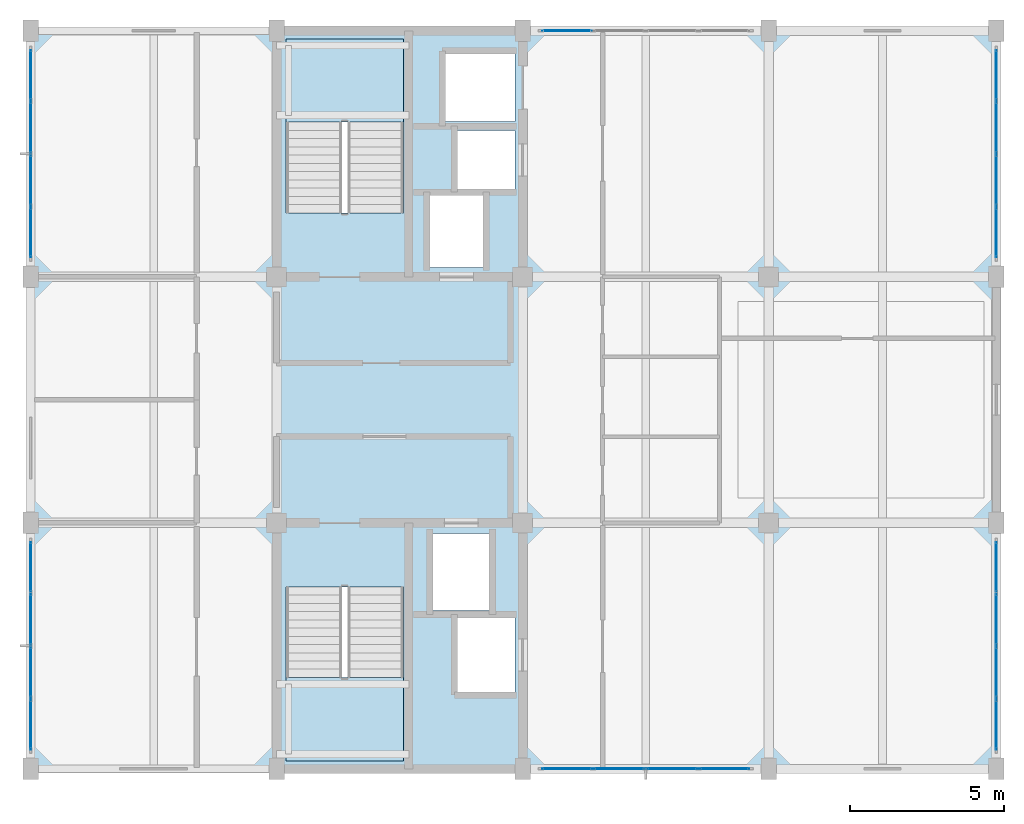
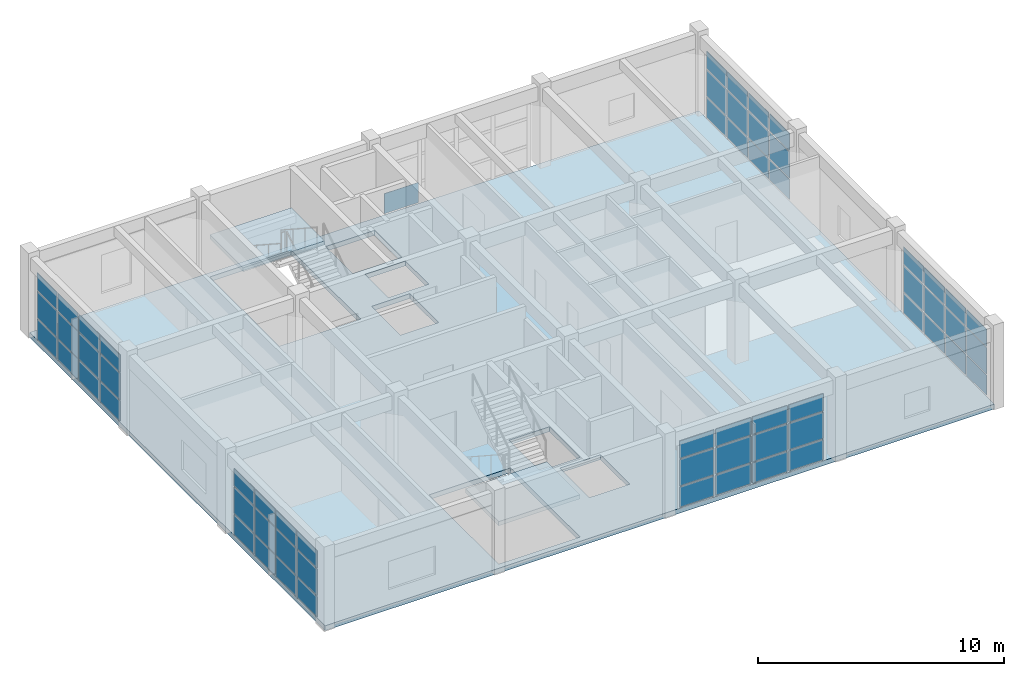
# One storey, part 11 of 16: 61 plates, 3 slabs, 8 elements without a shape of their own.
"""IFC4 building model written with IfcOpenShell, lengths in metres."""

from ifc_helpers import new_model, si_unit, direction, frame, origin, origin_2d, place, context, subcontext, project, spatial, polyline, rectangle, outline, extrude, material, layer, layer_set, type_object, element, aggregate, save


model = new_model("IFC4")

# Units and contexts
model_context = context("Model", 3, precision=1e-05, world=origin(), true_north=direction((0.0, 1.0)))
body_context = subcontext(model_context, "Body", "Model", "MODEL_VIEW")
ifc_project = project(units=[si_unit("LENGTHUNIT", "METRE"), si_unit("AREAUNIT", "SQUARE_METRE"), si_unit("VOLUMEUNIT", "CUBIC_METRE"), si_unit("PLANEANGLEUNIT", "RADIAN"), si_unit("MASSUNIT", "GRAM", prefix="KILO")], contexts=[model_context])

# Site, building, storey
site_placement = place(None, origin())
site = spatial("IfcSite", under=ifc_project, at=site_placement, CompositionType="ELEMENT")
building_placement = place(site_placement, origin())
building = spatial("IfcBuilding", under=site, at=building_placement, Name="Canggui Botanical Conservatory", CompositionType="ELEMENT")
storey_placement = place(building_placement, frame((0.0, 0.0, 65.39990234375)))
storey = spatial("IfcBuildingStorey", under=building, at=storey_placement, Name="L16", CompositionType="ELEMENT", Elevation=65.39990234375)

# Curtain wall, plates
ifc_material_1 = material(Name="Thermally Broken Aluminium", Category="aluminium")
ifc_layer_1 = layer(ifc_material_1, 0.179931640625, Name="Thermally Broken Aluminium", Category="aluminium")
ifc_layer_set_1 = layer_set([ifc_layer_1], Name="Thermally Broken Aluminium")
curtain_wall_type = type_object("IfcCurtainWallType", Name="CW-UNIT-A", PredefinedType="USERDEFINED", material=ifc_layer_set_1)
curtain_wall_1_placement = place(storey_placement, origin())
curtain_wall_1 = element("IfcCurtainWall", 1, at=curtain_wall_1_placement, inside=storey, type_object=curtain_wall_type, Name="Facade Curtain Wall CW-TWR-L16-02", ObjectType="UNITISED CURTAIN WALL", PredefinedType="USERDEFINED")
ifc_material_2 = material(Name="Low-E Insulated Glass", Category="glass")
ifc_layer_2 = layer(ifc_material_2, 0.02587890625, Name="Low-E Insulated Glass", Category="glass")
ifc_layer_set_2 = layer_set([ifc_layer_2], Name="Low-E Insulated Glass")
plate_type = type_object("IfcPlateType", Name="CWP-01", PredefinedType="CURTAIN_PANEL", material=ifc_layer_set_2)
plate_1_placement = place(storey_placement, frame((168.5625, 42.0, 0.065185546875), z_axis=(0.0, 0.0, 1.0), x_axis=(-1.0, 0.0, 0.0)))
plate_1 = element("IfcPlate", 2, at=plate_1_placement, type_object=plate_type, Name="CW-01 panel 1.1", PredefinedType="CURTAIN_PANEL", context=body_context, shape_type="SweptSolid", body=[
    extrude(rectangle(XDim=1.614990234375, YDim=0.02587890625, at=origin_2d()), origin(), (0.0, 0.0, 1.0), 0.99365234375),
])
plate_2_placement = place(storey_placement, frame((168.5625, 42.0, 1.12353515625), z_axis=(0.0, 0.0, 1.0), x_axis=(-1.0, 0.0, 0.0)))
plate_2 = element("IfcPlate", 3, at=plate_2_placement, type_object=plate_type, Name="CW-01 panel 1.2", PredefinedType="CURTAIN_PANEL", context=body_context, shape_type="SweptSolid", body=[
    extrude(rectangle(XDim=1.614990234375, YDim=0.02587890625, at=origin_2d()), origin(), (0.0, 0.0, 1.0), 1.299072265625),
])
plate_3_placement = place(storey_placement, frame((168.5625, 42.0, 2.48779296875), z_axis=(0.0, 0.0, 1.0), x_axis=(-1.0, 0.0, 0.0)))
plate_3 = element("IfcPlate", 4, at=plate_3_placement, type_object=plate_type, Name="CW-01 panel 1.3", PredefinedType="CURTAIN_PANEL", context=body_context, shape_type="SweptSolid", body=[
    extrude(rectangle(XDim=1.614990234375, YDim=0.02587890625, at=origin_2d()), origin(), (0.0, 0.0, 1.0), 0.857421875),
])
plate_4_placement = place(storey_placement, frame((166.860107421875, 42.0, 0.065185546875), z_axis=(0.0, 0.0, 1.0), x_axis=(-1.0, 0.0, 0.0)))
plate_4 = element("IfcPlate", 5, at=plate_4_placement, type_object=plate_type, Name="CW-01 panel 2.1", PredefinedType="CURTAIN_PANEL", context=body_context, shape_type="SweptSolid", body=[
    extrude(rectangle(XDim=1.64990234375, YDim=0.02587890625, at=origin_2d()), origin(), (0.0, 0.0, 1.0), 0.99365234375),
])
plate_5_placement = place(storey_placement, frame((166.860107421875, 42.0, 1.12353515625), z_axis=(0.0, 0.0, 1.0), x_axis=(-1.0, 0.0, 0.0)))
plate_5 = element("IfcPlate", 6, at=plate_5_placement, type_object=plate_type, Name="CW-01 panel 2.2", PredefinedType="CURTAIN_PANEL", context=body_context, shape_type="SweptSolid", body=[
    extrude(rectangle(XDim=1.64990234375, YDim=0.02587890625, at=origin_2d()), origin(), (0.0, 0.0, 1.0), 1.299072265625),
])
plate_6_placement = place(storey_placement, frame((166.860107421875, 42.0, 2.48779296875), z_axis=(0.0, 0.0, 1.0), x_axis=(-1.0, 0.0, 0.0)))
plate_6 = element("IfcPlate", 7, at=plate_6_placement, type_object=plate_type, Name="CW-01 panel 2.3", PredefinedType="CURTAIN_PANEL", context=body_context, shape_type="SweptSolid", body=[
    extrude(rectangle(XDim=1.64990234375, YDim=0.02587890625, at=origin_2d()), origin(), (0.0, 0.0, 1.0), 0.857421875),
])
plate_7_placement = place(storey_placement, frame((165.139892578125, 42.0, 0.065185546875), z_axis=(0.0, 0.0, 1.0), x_axis=(-1.0, 0.0, 0.0)))
plate_7 = element("IfcPlate", 8, at=plate_7_placement, type_object=plate_type, Name="CW-01 panel 3.1", PredefinedType="CURTAIN_PANEL", context=body_context, shape_type="SweptSolid", body=[
    extrude(rectangle(XDim=1.64990234375, YDim=0.02587890625, at=origin_2d()), origin(), (0.0, 0.0, 1.0), 0.99365234375),
])
plate_8_placement = place(storey_placement, frame((165.139892578125, 42.0, 1.12353515625), z_axis=(0.0, 0.0, 1.0), x_axis=(-1.0, 0.0, 0.0)))
plate_8 = element("IfcPlate", 9, at=plate_8_placement, type_object=plate_type, Name="CW-01 panel 3.2", PredefinedType="CURTAIN_PANEL", context=body_context, shape_type="SweptSolid", body=[
    extrude(rectangle(XDim=1.64990234375, YDim=0.02587890625, at=origin_2d()), origin(), (0.0, 0.0, 1.0), 1.299072265625),
])
plate_9_placement = place(storey_placement, frame((165.139892578125, 42.0, 2.48779296875), z_axis=(0.0, 0.0, 1.0), x_axis=(-1.0, 0.0, 0.0)))
plate_9 = element("IfcPlate", 10, at=plate_9_placement, type_object=plate_type, Name="CW-01 panel 3.3", PredefinedType="CURTAIN_PANEL", context=body_context, shape_type="SweptSolid", body=[
    extrude(rectangle(XDim=1.64990234375, YDim=0.02587890625, at=origin_2d()), origin(), (0.0, 0.0, 1.0), 0.857421875),
])
plate_10_placement = place(storey_placement, frame((163.4375, 42.0, 0.065185546875), z_axis=(0.0, 0.0, 1.0), x_axis=(-1.0, 0.0, 0.0)))
plate_10 = element("IfcPlate", 11, at=plate_10_placement, type_object=plate_type, Name="CW-01 panel 4.1", PredefinedType="CURTAIN_PANEL", context=body_context, shape_type="SweptSolid", body=[
    extrude(rectangle(XDim=1.614990234375, YDim=0.02587890625, at=origin_2d()), origin(), (0.0, 0.0, 1.0), 0.99365234375),
])
plate_11_placement = place(storey_placement, frame((163.4375, 42.0, 1.12353515625), z_axis=(0.0, 0.0, 1.0), x_axis=(-1.0, 0.0, 0.0)))
plate_11 = element("IfcPlate", 12, at=plate_11_placement, type_object=plate_type, Name="CW-01 panel 4.2", PredefinedType="CURTAIN_PANEL", context=body_context, shape_type="SweptSolid", body=[
    extrude(rectangle(XDim=1.614990234375, YDim=0.02587890625, at=origin_2d()), origin(), (0.0, 0.0, 1.0), 1.299072265625),
])
plate_12_placement = place(storey_placement, frame((163.4375, 42.0, 2.48779296875), z_axis=(0.0, 0.0, 1.0), x_axis=(-1.0, 0.0, 0.0)))
plate_12 = element("IfcPlate", 13, at=plate_12_placement, type_object=plate_type, Name="CW-01 panel 4.3", PredefinedType="CURTAIN_PANEL", context=body_context, shape_type="SweptSolid", body=[
    extrude(rectangle(XDim=1.614990234375, YDim=0.02587890625, at=origin_2d()), origin(), (0.0, 0.0, 1.0), 0.857421875),
])
aggregate(curtain_wall_1, [plate_1, plate_2, plate_3, plate_4, plate_5, plate_6, plate_7, plate_8, plate_9, plate_10, plate_11, plate_12])

curtain_wall_2_placement = place(storey_placement, origin())
curtain_wall_2 = element("IfcCurtainWall", 14, at=curtain_wall_2_placement, inside=storey, type_object=curtain_wall_type, Name="Facade Curtain Wall CW-TWR-L16-04", ObjectType="UNITISED CURTAIN WALL", PredefinedType="USERDEFINED")
plate_13_placement = place(storey_placement, frame((146.0, 43.4375, 0.065185546875), z_axis=(0.0, 0.0, 1.0), x_axis=(0.0, 1.0, 0.0)))
plate_13 = element("IfcPlate", 15, at=plate_13_placement, type_object=plate_type, Name="CW-01 panel 1.1", PredefinedType="CURTAIN_PANEL", context=body_context, shape_type="SweptSolid", body=[
    extrude(rectangle(XDim=1.614990234375, YDim=0.02587890625, at=origin_2d()), origin(), (0.0, 0.0, 1.0), 0.99365234375),
])
plate_14_placement = place(storey_placement, frame((146.0, 43.4375, 1.12353515625), z_axis=(0.0, 0.0, 1.0), x_axis=(0.0, 1.0, 0.0)))
plate_14 = element("IfcPlate", 16, at=plate_14_placement, type_object=plate_type, Name="CW-01 panel 1.2", PredefinedType="CURTAIN_PANEL", context=body_context, shape_type="SweptSolid", body=[
    extrude(rectangle(XDim=1.614990234375, YDim=0.02587890625, at=origin_2d()), origin(), (0.0, 0.0, 1.0), 1.299072265625),
])
plate_15_placement = place(storey_placement, frame((146.0, 43.4375, 2.48779296875), z_axis=(0.0, 0.0, 1.0), x_axis=(0.0, 1.0, 0.0)))
plate_15 = element("IfcPlate", 17, at=plate_15_placement, type_object=plate_type, Name="CW-01 panel 1.3", PredefinedType="CURTAIN_PANEL", context=body_context, shape_type="SweptSolid", body=[
    extrude(rectangle(XDim=1.614990234375, YDim=0.02587890625, at=origin_2d()), origin(), (0.0, 0.0, 1.0), 0.857421875),
])
plate_16_placement = place(storey_placement, frame((146.0, 45.139892578125, 0.065185546875), z_axis=(0.0, 0.0, 1.0), x_axis=(0.0, 1.0, 0.0)))
plate_16 = element("IfcPlate", 18, at=plate_16_placement, type_object=plate_type, Name="CW-01 panel 2.1", PredefinedType="CURTAIN_PANEL", context=body_context, shape_type="SweptSolid", body=[
    extrude(rectangle(XDim=1.64990234375, YDim=0.02587890625, at=origin_2d()), origin(), (0.0, 0.0, 1.0), 0.99365234375),
])
plate_17_placement = place(storey_placement, frame((146.0, 45.139892578125, 1.12353515625), z_axis=(0.0, 0.0, 1.0), x_axis=(0.0, 1.0, 0.0)))
plate_17 = element("IfcPlate", 19, at=plate_17_placement, type_object=plate_type, Name="CW-01 panel 2.2", PredefinedType="CURTAIN_PANEL", context=body_context, shape_type="SweptSolid", body=[
    extrude(rectangle(XDim=1.64990234375, YDim=0.02587890625, at=origin_2d()), origin(), (0.0, 0.0, 1.0), 1.299072265625),
])
plate_18_placement = place(storey_placement, frame((146.0, 45.139892578125, 2.48779296875), z_axis=(0.0, 0.0, 1.0), x_axis=(0.0, 1.0, 0.0)))
plate_18 = element("IfcPlate", 20, at=plate_18_placement, type_object=plate_type, Name="CW-01 panel 2.3", PredefinedType="CURTAIN_PANEL", context=body_context, shape_type="SweptSolid", body=[
    extrude(rectangle(XDim=1.64990234375, YDim=0.02587890625, at=origin_2d()), origin(), (0.0, 0.0, 1.0), 0.857421875),
])
plate_19_placement = place(storey_placement, frame((146.0, 46.860107421875, 0.065185546875), z_axis=(0.0, 0.0, 1.0), x_axis=(0.0, 1.0, 0.0)))
plate_19 = element("IfcPlate", 21, at=plate_19_placement, type_object=plate_type, Name="CW-01 panel 3.1", PredefinedType="CURTAIN_PANEL", context=body_context, shape_type="SweptSolid", body=[
    extrude(rectangle(XDim=1.64990234375, YDim=0.02587890625, at=origin_2d()), origin(), (0.0, 0.0, 1.0), 0.99365234375),
])
plate_20_placement = place(storey_placement, frame((146.0, 46.860107421875, 1.12353515625), z_axis=(0.0, 0.0, 1.0), x_axis=(0.0, 1.0, 0.0)))
plate_20 = element("IfcPlate", 22, at=plate_20_placement, type_object=plate_type, Name="CW-01 panel 3.2", PredefinedType="CURTAIN_PANEL", context=body_context, shape_type="SweptSolid", body=[
    extrude(rectangle(XDim=1.64990234375, YDim=0.02587890625, at=origin_2d()), origin(), (0.0, 0.0, 1.0), 1.299072265625),
])
plate_21_placement = place(storey_placement, frame((146.0, 46.860107421875, 2.48779296875), z_axis=(0.0, 0.0, 1.0), x_axis=(0.0, 1.0, 0.0)))
plate_21 = element("IfcPlate", 23, at=plate_21_placement, type_object=plate_type, Name="CW-01 panel 3.3", PredefinedType="CURTAIN_PANEL", context=body_context, shape_type="SweptSolid", body=[
    extrude(rectangle(XDim=1.64990234375, YDim=0.02587890625, at=origin_2d()), origin(), (0.0, 0.0, 1.0), 0.857421875),
])
plate_22_placement = place(storey_placement, frame((146.0, 48.5625, 0.065185546875), z_axis=(0.0, 0.0, 1.0), x_axis=(0.0, 1.0, 0.0)))
plate_22 = element("IfcPlate", 24, at=plate_22_placement, type_object=plate_type, Name="CW-01 panel 4.1", PredefinedType="CURTAIN_PANEL", context=body_context, shape_type="SweptSolid", body=[
    extrude(rectangle(XDim=1.614990234375, YDim=0.02587890625, at=origin_2d()), origin(), (0.0, 0.0, 1.0), 0.99365234375),
])
plate_23_placement = place(storey_placement, frame((146.0, 48.5625, 1.12353515625), z_axis=(0.0, 0.0, 1.0), x_axis=(0.0, 1.0, 0.0)))
plate_23 = element("IfcPlate", 25, at=plate_23_placement, type_object=plate_type, Name="CW-01 panel 4.2", PredefinedType="CURTAIN_PANEL", context=body_context, shape_type="SweptSolid", body=[
    extrude(rectangle(XDim=1.614990234375, YDim=0.02587890625, at=origin_2d()), origin(), (0.0, 0.0, 1.0), 1.299072265625),
])
plate_24_placement = place(storey_placement, frame((146.0, 48.5625, 2.48779296875), z_axis=(0.0, 0.0, 1.0), x_axis=(0.0, 1.0, 0.0)))
plate_24 = element("IfcPlate", 26, at=plate_24_placement, type_object=plate_type, Name="CW-01 panel 4.3", PredefinedType="CURTAIN_PANEL", context=body_context, shape_type="SweptSolid", body=[
    extrude(rectangle(XDim=1.614990234375, YDim=0.02587890625, at=origin_2d()), origin(), (0.0, 0.0, 1.0), 0.857421875),
])
aggregate(curtain_wall_2, [plate_13, plate_14, plate_15, plate_16, plate_17, plate_18, plate_19, plate_20, plate_21, plate_22, plate_23, plate_24])

curtain_wall_3_placement = place(storey_placement, origin())
curtain_wall_3 = element("IfcCurtainWall", 27, at=curtain_wall_3_placement, inside=storey, type_object=curtain_wall_type, Name="Facade Curtain Wall CW-TWR-L16-06", ObjectType="UNITISED CURTAIN WALL", PredefinedType="USERDEFINED")
plate_25_placement = place(storey_placement, frame((146.0, 59.4375, 0.065185546875), z_axis=(0.0, 0.0, 1.0), x_axis=(0.0, 1.0, 0.0)))
plate_25 = element("IfcPlate", 28, at=plate_25_placement, type_object=plate_type, Name="CW-01 panel 1.1", PredefinedType="CURTAIN_PANEL", context=body_context, shape_type="SweptSolid", body=[
    extrude(rectangle(XDim=1.614990234375, YDim=0.02587890625, at=origin_2d()), origin(), (0.0, 0.0, 1.0), 0.99365234375),
])
plate_26_placement = place(storey_placement, frame((146.0, 59.4375, 1.12353515625), z_axis=(0.0, 0.0, 1.0), x_axis=(0.0, 1.0, 0.0)))
plate_26 = element("IfcPlate", 29, at=plate_26_placement, type_object=plate_type, Name="CW-01 panel 1.2", PredefinedType="CURTAIN_PANEL", context=body_context, shape_type="SweptSolid", body=[
    extrude(rectangle(XDim=1.614990234375, YDim=0.02587890625, at=origin_2d()), origin(), (0.0, 0.0, 1.0), 1.299072265625),
])
plate_27_placement = place(storey_placement, frame((146.0, 59.4375, 2.48779296875), z_axis=(0.0, 0.0, 1.0), x_axis=(0.0, 1.0, 0.0)))
plate_27 = element("IfcPlate", 30, at=plate_27_placement, type_object=plate_type, Name="CW-01 panel 1.3", PredefinedType="CURTAIN_PANEL", context=body_context, shape_type="SweptSolid", body=[
    extrude(rectangle(XDim=1.614990234375, YDim=0.02587890625, at=origin_2d()), origin(), (0.0, 0.0, 1.0), 0.857421875),
])
plate_28_placement = place(storey_placement, frame((146.0, 61.139892578125, 0.065185546875), z_axis=(0.0, 0.0, 1.0), x_axis=(0.0, 1.0, 0.0)))
plate_28 = element("IfcPlate", 31, at=plate_28_placement, type_object=plate_type, Name="CW-01 panel 2.1", PredefinedType="CURTAIN_PANEL", context=body_context, shape_type="SweptSolid", body=[
    extrude(rectangle(XDim=1.64990234375, YDim=0.02587890625, at=origin_2d()), origin(), (0.0, 0.0, 1.0), 0.99365234375),
])
plate_29_placement = place(storey_placement, frame((146.0, 61.139892578125, 1.12353515625), z_axis=(0.0, 0.0, 1.0), x_axis=(0.0, 1.0, 0.0)))
plate_29 = element("IfcPlate", 32, at=plate_29_placement, type_object=plate_type, Name="CW-01 panel 2.2", PredefinedType="CURTAIN_PANEL", context=body_context, shape_type="SweptSolid", body=[
    extrude(rectangle(XDim=1.64990234375, YDim=0.02587890625, at=origin_2d()), origin(), (0.0, 0.0, 1.0), 1.299072265625),
])
plate_30_placement = place(storey_placement, frame((146.0, 61.139892578125, 2.48779296875), z_axis=(0.0, 0.0, 1.0), x_axis=(0.0, 1.0, 0.0)))
plate_30 = element("IfcPlate", 33, at=plate_30_placement, type_object=plate_type, Name="CW-01 panel 2.3", PredefinedType="CURTAIN_PANEL", context=body_context, shape_type="SweptSolid", body=[
    extrude(rectangle(XDim=1.64990234375, YDim=0.02587890625, at=origin_2d()), origin(), (0.0, 0.0, 1.0), 0.857421875),
])
plate_31_placement = place(storey_placement, frame((146.0, 62.860107421875, 0.065185546875), z_axis=(0.0, 0.0, 1.0), x_axis=(0.0, 1.0, 0.0)))
plate_31 = element("IfcPlate", 34, at=plate_31_placement, type_object=plate_type, Name="CW-01 panel 3.1", PredefinedType="CURTAIN_PANEL", context=body_context, shape_type="SweptSolid", body=[
    extrude(rectangle(XDim=1.64990234375, YDim=0.02587890625, at=origin_2d()), origin(), (0.0, 0.0, 1.0), 0.99365234375),
])
plate_32_placement = place(storey_placement, frame((146.0, 62.860107421875, 1.12353515625), z_axis=(0.0, 0.0, 1.0), x_axis=(0.0, 1.0, 0.0)))
plate_32 = element("IfcPlate", 35, at=plate_32_placement, type_object=plate_type, Name="CW-01 panel 3.2", PredefinedType="CURTAIN_PANEL", context=body_context, shape_type="SweptSolid", body=[
    extrude(rectangle(XDim=1.64990234375, YDim=0.02587890625, at=origin_2d()), origin(), (0.0, 0.0, 1.0), 1.299072265625),
])
plate_33_placement = place(storey_placement, frame((146.0, 62.860107421875, 2.48779296875), z_axis=(0.0, 0.0, 1.0), x_axis=(0.0, 1.0, 0.0)))
plate_33 = element("IfcPlate", 36, at=plate_33_placement, type_object=plate_type, Name="CW-01 panel 3.3", PredefinedType="CURTAIN_PANEL", context=body_context, shape_type="SweptSolid", body=[
    extrude(rectangle(XDim=1.64990234375, YDim=0.02587890625, at=origin_2d()), origin(), (0.0, 0.0, 1.0), 0.857421875),
])
plate_34_placement = place(storey_placement, frame((146.0, 64.5625, 0.065185546875), z_axis=(0.0, 0.0, 1.0), x_axis=(0.0, 1.0, 0.0)))
plate_34 = element("IfcPlate", 37, at=plate_34_placement, type_object=plate_type, Name="CW-01 panel 4.1", PredefinedType="CURTAIN_PANEL", context=body_context, shape_type="SweptSolid", body=[
    extrude(rectangle(XDim=1.614990234375, YDim=0.02587890625, at=origin_2d()), origin(), (0.0, 0.0, 1.0), 0.99365234375),
])
plate_35_placement = place(storey_placement, frame((146.0, 64.5625, 1.12353515625), z_axis=(0.0, 0.0, 1.0), x_axis=(0.0, 1.0, 0.0)))
plate_35 = element("IfcPlate", 38, at=plate_35_placement, type_object=plate_type, Name="CW-01 panel 4.2", PredefinedType="CURTAIN_PANEL", context=body_context, shape_type="SweptSolid", body=[
    extrude(rectangle(XDim=1.614990234375, YDim=0.02587890625, at=origin_2d()), origin(), (0.0, 0.0, 1.0), 1.299072265625),
])
plate_36_placement = place(storey_placement, frame((146.0, 64.5625, 2.48779296875), z_axis=(0.0, 0.0, 1.0), x_axis=(0.0, 1.0, 0.0)))
plate_36 = element("IfcPlate", 39, at=plate_36_placement, type_object=plate_type, Name="CW-01 panel 4.3", PredefinedType="CURTAIN_PANEL", context=body_context, shape_type="SweptSolid", body=[
    extrude(rectangle(XDim=1.614990234375, YDim=0.02587890625, at=origin_2d()), origin(), (0.0, 0.0, 1.0), 0.857421875),
])
aggregate(curtain_wall_3, [plate_25, plate_26, plate_27, plate_28, plate_29, plate_30, plate_31, plate_32, plate_33, plate_34, plate_35, plate_36])

# Curtain wall, plate
curtain_wall_4_placement = place(storey_placement, origin())
curtain_wall_4 = element("IfcCurtainWall", 40, at=curtain_wall_4_placement, inside=storey, type_object=curtain_wall_type, Name="Facade Curtain Wall CW-TWR-L16-08", ObjectType="UNITISED CURTAIN WALL", PredefinedType="USERDEFINED")
plate_37_placement = place(storey_placement, frame((163.4375, 66.0, 0.065185546875), z_axis=(0.0, 0.0, 1.0), x_axis=(1.0, 0.0, 0.0)))
plate_37 = element("IfcPlate", 41, at=plate_37_placement, type_object=plate_type, Name="CW-01 panel 1.1", PredefinedType="CURTAIN_PANEL", context=body_context, shape_type="SweptSolid", body=[
    extrude(rectangle(XDim=1.614990234375, YDim=0.02587890625, at=origin_2d()), origin(), (0.0, 0.0, 1.0), 0.99365234375),
])
aggregate(curtain_wall_4, [plate_37])

# Curtain wall, plates
curtain_wall_5_placement = place(storey_placement, origin())
curtain_wall_5 = element("IfcCurtainWall", 42, at=curtain_wall_5_placement, inside=storey, type_object=curtain_wall_type, Name="Facade Curtain Wall CW-TWR-L16-10", ObjectType="UNITISED CURTAIN WALL", PredefinedType="USERDEFINED")
plate_38_placement = place(storey_placement, frame((177.39990234375, 64.5625, 0.065185546875), z_axis=(0.0, 0.0, 1.0), x_axis=(0.0, -1.0, 0.0)))
plate_38 = element("IfcPlate", 43, at=plate_38_placement, type_object=plate_type, Name="CW-01 panel 1.1", PredefinedType="CURTAIN_PANEL", context=body_context, shape_type="SweptSolid", body=[
    extrude(rectangle(XDim=1.614990234375, YDim=0.02587890625, at=origin_2d()), origin(), (0.0, 0.0, 1.0), 0.99365234375),
])
plate_39_placement = place(storey_placement, frame((177.39990234375, 64.5625, 1.12353515625), z_axis=(0.0, 0.0, 1.0), x_axis=(0.0, -1.0, 0.0)))
plate_39 = element("IfcPlate", 44, at=plate_39_placement, type_object=plate_type, Name="CW-01 panel 1.2", PredefinedType="CURTAIN_PANEL", context=body_context, shape_type="SweptSolid", body=[
    extrude(rectangle(XDim=1.614990234375, YDim=0.02587890625, at=origin_2d()), origin(), (0.0, 0.0, 1.0), 1.299072265625),
])
plate_40_placement = place(storey_placement, frame((177.39990234375, 64.5625, 2.48779296875), z_axis=(0.0, 0.0, 1.0), x_axis=(0.0, -1.0, 0.0)))
plate_40 = element("IfcPlate", 45, at=plate_40_placement, type_object=plate_type, Name="CW-01 panel 1.3", PredefinedType="CURTAIN_PANEL", context=body_context, shape_type="SweptSolid", body=[
    extrude(rectangle(XDim=1.614990234375, YDim=0.02587890625, at=origin_2d()), origin(), (0.0, 0.0, 1.0), 0.857421875),
])
plate_41_placement = place(storey_placement, frame((177.39990234375, 62.860107421875, 0.065185546875), z_axis=(0.0, 0.0, 1.0), x_axis=(0.0, -1.0, 0.0)))
plate_41 = element("IfcPlate", 46, at=plate_41_placement, type_object=plate_type, Name="CW-01 panel 2.1", PredefinedType="CURTAIN_PANEL", context=body_context, shape_type="SweptSolid", body=[
    extrude(rectangle(XDim=1.64990234375, YDim=0.02587890625, at=origin_2d()), origin(), (0.0, 0.0, 1.0), 0.99365234375),
])
plate_42_placement = place(storey_placement, frame((177.39990234375, 62.860107421875, 1.12353515625), z_axis=(0.0, 0.0, 1.0), x_axis=(0.0, -1.0, 0.0)))
plate_42 = element("IfcPlate", 47, at=plate_42_placement, type_object=plate_type, Name="CW-01 panel 2.2", PredefinedType="CURTAIN_PANEL", context=body_context, shape_type="SweptSolid", body=[
    extrude(rectangle(XDim=1.64990234375, YDim=0.02587890625, at=origin_2d()), origin(), (0.0, 0.0, 1.0), 1.299072265625),
])
plate_43_placement = place(storey_placement, frame((177.39990234375, 62.860107421875, 2.48779296875), z_axis=(0.0, 0.0, 1.0), x_axis=(0.0, -1.0, 0.0)))
plate_43 = element("IfcPlate", 48, at=plate_43_placement, type_object=plate_type, Name="CW-01 panel 2.3", PredefinedType="CURTAIN_PANEL", context=body_context, shape_type="SweptSolid", body=[
    extrude(rectangle(XDim=1.64990234375, YDim=0.02587890625, at=origin_2d()), origin(), (0.0, 0.0, 1.0), 0.857421875),
])
plate_44_placement = place(storey_placement, frame((177.39990234375, 61.139892578125, 0.065185546875), z_axis=(0.0, 0.0, 1.0), x_axis=(0.0, -1.0, 0.0)))
plate_44 = element("IfcPlate", 49, at=plate_44_placement, type_object=plate_type, Name="CW-01 panel 3.1", PredefinedType="CURTAIN_PANEL", context=body_context, shape_type="SweptSolid", body=[
    extrude(rectangle(XDim=1.64990234375, YDim=0.02587890625, at=origin_2d()), origin(), (0.0, 0.0, 1.0), 0.99365234375),
])
plate_45_placement = place(storey_placement, frame((177.39990234375, 61.139892578125, 1.12353515625), z_axis=(0.0, 0.0, 1.0), x_axis=(0.0, -1.0, 0.0)))
plate_45 = element("IfcPlate", 50, at=plate_45_placement, type_object=plate_type, Name="CW-01 panel 3.2", PredefinedType="CURTAIN_PANEL", context=body_context, shape_type="SweptSolid", body=[
    extrude(rectangle(XDim=1.64990234375, YDim=0.02587890625, at=origin_2d()), origin(), (0.0, 0.0, 1.0), 1.299072265625),
])
plate_46_placement = place(storey_placement, frame((177.39990234375, 61.139892578125, 2.48779296875), z_axis=(0.0, 0.0, 1.0), x_axis=(0.0, -1.0, 0.0)))
plate_46 = element("IfcPlate", 51, at=plate_46_placement, type_object=plate_type, Name="CW-01 panel 3.3", PredefinedType="CURTAIN_PANEL", context=body_context, shape_type="SweptSolid", body=[
    extrude(rectangle(XDim=1.64990234375, YDim=0.02587890625, at=origin_2d()), origin(), (0.0, 0.0, 1.0), 0.857421875),
])
plate_47_placement = place(storey_placement, frame((177.39990234375, 59.4375, 0.065185546875), z_axis=(0.0, 0.0, 1.0), x_axis=(0.0, -1.0, 0.0)))
plate_47 = element("IfcPlate", 52, at=plate_47_placement, type_object=plate_type, Name="CW-01 panel 4.1", PredefinedType="CURTAIN_PANEL", context=body_context, shape_type="SweptSolid", body=[
    extrude(rectangle(XDim=1.614990234375, YDim=0.02587890625, at=origin_2d()), origin(), (0.0, 0.0, 1.0), 0.99365234375),
])
plate_48_placement = place(storey_placement, frame((177.39990234375, 59.4375, 1.12353515625), z_axis=(0.0, 0.0, 1.0), x_axis=(0.0, -1.0, 0.0)))
plate_48 = element("IfcPlate", 53, at=plate_48_placement, type_object=plate_type, Name="CW-01 panel 4.2", PredefinedType="CURTAIN_PANEL", context=body_context, shape_type="SweptSolid", body=[
    extrude(rectangle(XDim=1.614990234375, YDim=0.02587890625, at=origin_2d()), origin(), (0.0, 0.0, 1.0), 1.299072265625),
])
plate_49_placement = place(storey_placement, frame((177.39990234375, 59.4375, 2.48779296875), z_axis=(0.0, 0.0, 1.0), x_axis=(0.0, -1.0, 0.0)))
plate_49 = element("IfcPlate", 54, at=plate_49_placement, type_object=plate_type, Name="CW-01 panel 4.3", PredefinedType="CURTAIN_PANEL", context=body_context, shape_type="SweptSolid", body=[
    extrude(rectangle(XDim=1.614990234375, YDim=0.02587890625, at=origin_2d()), origin(), (0.0, 0.0, 1.0), 0.857421875),
])
aggregate(curtain_wall_5, [plate_38, plate_39, plate_40, plate_41, plate_42, plate_43, plate_44, plate_45, plate_46, plate_47, plate_48, plate_49])

curtain_wall_6_placement = place(storey_placement, origin())
curtain_wall_6 = element("IfcCurtainWall", 55, at=curtain_wall_6_placement, inside=storey, type_object=curtain_wall_type, Name="Facade Curtain Wall CW-TWR-L16-12", ObjectType="UNITISED CURTAIN WALL", PredefinedType="USERDEFINED")
plate_50_placement = place(storey_placement, frame((177.39990234375, 48.5625, 0.065185546875), z_axis=(0.0, 0.0, 1.0), x_axis=(0.0, -1.0, 0.0)))
plate_50 = element("IfcPlate", 56, at=plate_50_placement, type_object=plate_type, Name="CW-01 panel 1.1", PredefinedType="CURTAIN_PANEL", context=body_context, shape_type="SweptSolid", body=[
    extrude(rectangle(XDim=1.614990234375, YDim=0.02587890625, at=origin_2d()), origin(), (0.0, 0.0, 1.0), 0.99365234375),
])
plate_51_placement = place(storey_placement, frame((177.39990234375, 48.5625, 1.12353515625), z_axis=(0.0, 0.0, 1.0), x_axis=(0.0, -1.0, 0.0)))
plate_51 = element("IfcPlate", 57, at=plate_51_placement, type_object=plate_type, Name="CW-01 panel 1.2", PredefinedType="CURTAIN_PANEL", context=body_context, shape_type="SweptSolid", body=[
    extrude(rectangle(XDim=1.614990234375, YDim=0.02587890625, at=origin_2d()), origin(), (0.0, 0.0, 1.0), 1.299072265625),
])
plate_52_placement = place(storey_placement, frame((177.39990234375, 48.5625, 2.48779296875), z_axis=(0.0, 0.0, 1.0), x_axis=(0.0, -1.0, 0.0)))
plate_52 = element("IfcPlate", 58, at=plate_52_placement, type_object=plate_type, Name="CW-01 panel 1.3", PredefinedType="CURTAIN_PANEL", context=body_context, shape_type="SweptSolid", body=[
    extrude(rectangle(XDim=1.614990234375, YDim=0.02587890625, at=origin_2d()), origin(), (0.0, 0.0, 1.0), 0.857421875),
])
plate_53_placement = place(storey_placement, frame((177.39990234375, 46.860107421875, 0.065185546875), z_axis=(0.0, 0.0, 1.0), x_axis=(0.0, -1.0, 0.0)))
plate_53 = element("IfcPlate", 59, at=plate_53_placement, type_object=plate_type, Name="CW-01 panel 2.1", PredefinedType="CURTAIN_PANEL", context=body_context, shape_type="SweptSolid", body=[
    extrude(rectangle(XDim=1.64990234375, YDim=0.02587890625, at=origin_2d()), origin(), (0.0, 0.0, 1.0), 0.99365234375),
])
plate_54_placement = place(storey_placement, frame((177.39990234375, 46.860107421875, 1.12353515625), z_axis=(0.0, 0.0, 1.0), x_axis=(0.0, -1.0, 0.0)))
plate_54 = element("IfcPlate", 60, at=plate_54_placement, type_object=plate_type, Name="CW-01 panel 2.2", PredefinedType="CURTAIN_PANEL", context=body_context, shape_type="SweptSolid", body=[
    extrude(rectangle(XDim=1.64990234375, YDim=0.02587890625, at=origin_2d()), origin(), (0.0, 0.0, 1.0), 1.299072265625),
])
plate_55_placement = place(storey_placement, frame((177.39990234375, 46.860107421875, 2.48779296875), z_axis=(0.0, 0.0, 1.0), x_axis=(0.0, -1.0, 0.0)))
plate_55 = element("IfcPlate", 61, at=plate_55_placement, type_object=plate_type, Name="CW-01 panel 2.3", PredefinedType="CURTAIN_PANEL", context=body_context, shape_type="SweptSolid", body=[
    extrude(rectangle(XDim=1.64990234375, YDim=0.02587890625, at=origin_2d()), origin(), (0.0, 0.0, 1.0), 0.857421875),
])
plate_56_placement = place(storey_placement, frame((177.39990234375, 45.139892578125, 0.065185546875), z_axis=(0.0, 0.0, 1.0), x_axis=(0.0, -1.0, 0.0)))
plate_56 = element("IfcPlate", 62, at=plate_56_placement, type_object=plate_type, Name="CW-01 panel 3.1", PredefinedType="CURTAIN_PANEL", context=body_context, shape_type="SweptSolid", body=[
    extrude(rectangle(XDim=1.64990234375, YDim=0.02587890625, at=origin_2d()), origin(), (0.0, 0.0, 1.0), 0.99365234375),
])
plate_57_placement = place(storey_placement, frame((177.39990234375, 45.139892578125, 1.12353515625), z_axis=(0.0, 0.0, 1.0), x_axis=(0.0, -1.0, 0.0)))
plate_57 = element("IfcPlate", 63, at=plate_57_placement, type_object=plate_type, Name="CW-01 panel 3.2", PredefinedType="CURTAIN_PANEL", context=body_context, shape_type="SweptSolid", body=[
    extrude(rectangle(XDim=1.64990234375, YDim=0.02587890625, at=origin_2d()), origin(), (0.0, 0.0, 1.0), 1.299072265625),
])
plate_58_placement = place(storey_placement, frame((177.39990234375, 45.139892578125, 2.48779296875), z_axis=(0.0, 0.0, 1.0), x_axis=(0.0, -1.0, 0.0)))
plate_58 = element("IfcPlate", 64, at=plate_58_placement, type_object=plate_type, Name="CW-01 panel 3.3", PredefinedType="CURTAIN_PANEL", context=body_context, shape_type="SweptSolid", body=[
    extrude(rectangle(XDim=1.64990234375, YDim=0.02587890625, at=origin_2d()), origin(), (0.0, 0.0, 1.0), 0.857421875),
])
plate_59_placement = place(storey_placement, frame((177.39990234375, 43.4375, 0.065185546875), z_axis=(0.0, 0.0, 1.0), x_axis=(0.0, -1.0, 0.0)))
plate_59 = element("IfcPlate", 65, at=plate_59_placement, type_object=plate_type, Name="CW-01 panel 4.1", PredefinedType="CURTAIN_PANEL", context=body_context, shape_type="SweptSolid", body=[
    extrude(rectangle(XDim=1.614990234375, YDim=0.02587890625, at=origin_2d()), origin(), (0.0, 0.0, 1.0), 0.99365234375),
])
plate_60_placement = place(storey_placement, frame((177.39990234375, 43.4375, 1.12353515625), z_axis=(0.0, 0.0, 1.0), x_axis=(0.0, -1.0, 0.0)))
plate_60 = element("IfcPlate", 66, at=plate_60_placement, type_object=plate_type, Name="CW-01 panel 4.2", PredefinedType="CURTAIN_PANEL", context=body_context, shape_type="SweptSolid", body=[
    extrude(rectangle(XDim=1.614990234375, YDim=0.02587890625, at=origin_2d()), origin(), (0.0, 0.0, 1.0), 1.299072265625),
])
plate_61_placement = place(storey_placement, frame((177.39990234375, 43.4375, 2.48779296875), z_axis=(0.0, 0.0, 1.0), x_axis=(0.0, -1.0, 0.0)))
plate_61 = element("IfcPlate", 67, at=plate_61_placement, type_object=plate_type, Name="CW-01 panel 4.3", PredefinedType="CURTAIN_PANEL", context=body_context, shape_type="SweptSolid", body=[
    extrude(rectangle(XDim=1.614990234375, YDim=0.02587890625, at=origin_2d()), origin(), (0.0, 0.0, 1.0), 0.857421875),
])
aggregate(curtain_wall_6, [plate_50, plate_51, plate_52, plate_53, plate_54, plate_55, plate_56, plate_57, plate_58, plate_59, plate_60, plate_61])

# Slab
ifc_material_3 = material(Name="Concrete C35", Category="concrete")
ifc_layer_3 = layer(ifc_material_3, 0.239990234375, Name="Concrete C35", Category="concrete")
ifc_layer_set_3 = layer_set([ifc_layer_3], Name="Concrete C35")
slab_type_1 = type_object("IfcSlabType", Name="SLAB-F240", PredefinedType="FLOOR", material=ifc_layer_set_3)
slab_1_placement = place(storey_placement, frame((0.0, 0.0, -0.239990234375)))
element("IfcSlab", 68, at=slab_1_placement, inside=storey, type_object=slab_type_1, Name="Research Tower L16 Floor Slab", PredefinedType="FLOOR", context=body_context, shape_type="SweptSolid", body=[
    extrude(outline(polyline([(146.0, 42.0), (177.39990234375, 42.0), (177.39990234375, 66.0), (146.0, 66.0), (146.0, 42.0)]), holes=[polyline([(154.300048828125, 47.91943359375), (154.300048828125, 42.260009765625), (158.1201171875, 42.260009765625), (158.1201171875, 47.91943359375), (154.300048828125, 47.91943359375)]), polyline([(158.1201171875, 60.08056640625), (158.1201171875, 65.739990234375), (154.300048828125, 65.739990234375), (154.300048828125, 60.08056640625), (158.1201171875, 60.08056640625)]), polyline([(159.050048828125, 47.14990234375), (160.949951171875, 47.14990234375), (160.949951171875, 49.64990234375), (159.050048828125, 49.64990234375), (159.050048828125, 47.14990234375)]), polyline([(159.85009765625, 44.5), (161.75, 44.5), (161.75, 46.89990234375), (159.85009765625, 46.89990234375), (159.85009765625, 44.5)]), polyline([(158.949951171875, 58.300048828125), (160.75, 58.300048828125), (160.75, 60.64990234375), (158.949951171875, 60.64990234375), (158.949951171875, 58.300048828125)]), polyline([(159.85009765625, 60.85009765625), (161.75, 60.85009765625), (161.75, 62.75), (159.85009765625, 62.75), (159.85009765625, 60.85009765625)]), polyline([(159.449951171875, 63.050048828125), (161.75, 63.050048828125), (161.75, 65.25), (159.449951171875, 65.25), (159.449951171875, 63.050048828125)])]), origin(), (0.0, 0.0, 1.0), 0.239990234375),
])

# Stair, slab
stair_type = type_object("IfcStairType", Name="STR-TYPE-6", PredefinedType="HALF_TURN_STAIR", material=ifc_material_3)
stair_1_placement = place(storey_placement, origin())
stair_1 = element("IfcStair", 69, at=stair_1_placement, inside=storey, type_object=stair_type, Name="L16 Tower South Smoke-Proof Stair ST-T1", PredefinedType="HALF_TURN_STAIR")
ifc_layer_4 = layer(ifc_material_3, 0.199951171875, Name="Concrete C35", Category="concrete")
ifc_layer_set_4 = layer_set([ifc_layer_4], Name="Concrete C35")
slab_type_2 = type_object("IfcSlabType", Name="SLAB-LND-200", PredefinedType="LANDING", material=ifc_layer_set_4)
slab_2_placement = place(storey_placement, frame((0.0, 0.0, 1.900146484375)))
slab_2 = element("IfcSlab", 70, at=slab_2_placement, type_object=slab_type_2, Name="ST-T1 landing 1", PredefinedType="LANDING", context=body_context, shape_type="SweptSolid", body=[
    extrude(outline(polyline([(154.300048828125, 44.972412109375), (154.300048828125, 42.260009765625), (158.1201171875, 42.260009765625), (158.1201171875, 44.972412109375), (154.300048828125, 44.972412109375)])), origin(), (0.0, 0.0, 1.0), 0.199951171875),
])
aggregate(stair_1, [slab_2])

stair_2_placement = place(storey_placement, origin())
stair_2 = element("IfcStair", 71, at=stair_2_placement, inside=storey, type_object=stair_type, Name="L16 Tower North Smoke-Proof Stair ST-T2", PredefinedType="HALF_TURN_STAIR")
slab_3_placement = place(storey_placement, frame((0.0, 0.0, 1.900146484375)))
slab_3 = element("IfcSlab", 72, at=slab_3_placement, type_object=slab_type_2, Name="ST-T2 landing 1", PredefinedType="LANDING", context=body_context, shape_type="SweptSolid", body=[
    extrude(outline(polyline([(158.1201171875, 63.027587890625), (158.1201171875, 65.739990234375), (154.300048828125, 65.739990234375), (154.300048828125, 63.027587890625), (158.1201171875, 63.027587890625)])), origin(), (0.0, 0.0, 1.0), 0.199951171875),
])
aggregate(stair_2, [slab_3])

save(model, "model.ifc")
